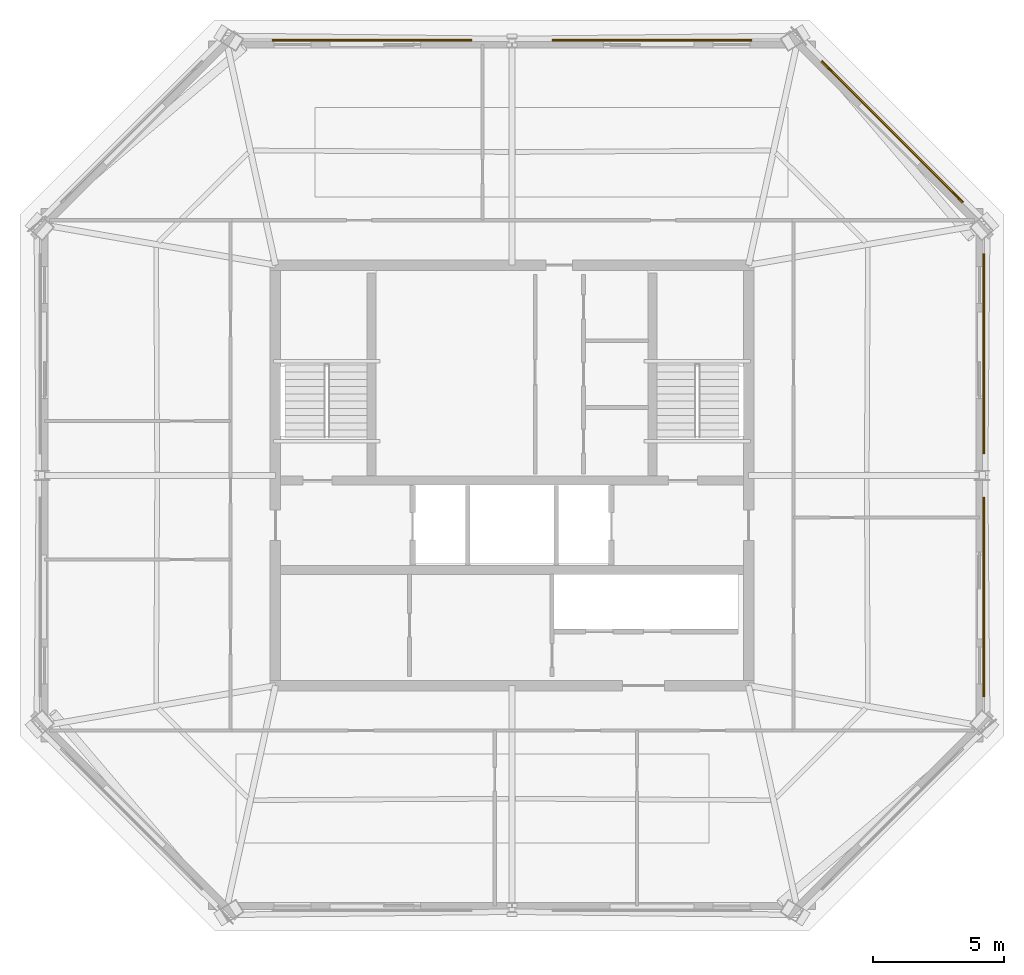
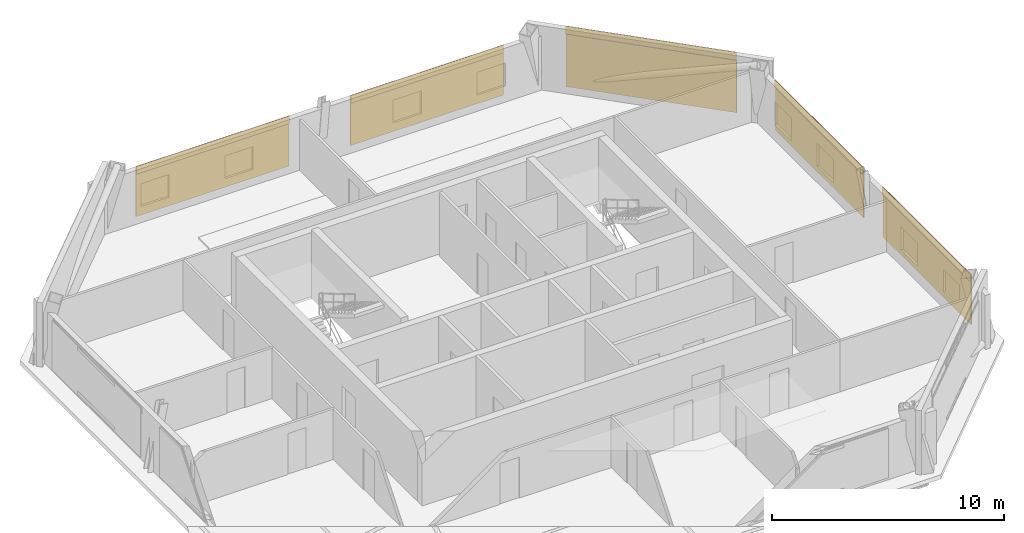
# One storey, part 6 of 6: 5 coverings, 5 shading devices.
"""IFC4 building model written with IfcOpenShell, lengths in metres."""

from ifc_helpers import new_model, si_unit, direction, frame, origin, origin_2d, place, context, subcontext, project, spatial, rectangle, extrude, material, layer, layer_set, type_object, element, save


model = new_model("IFC4")

# Units and contexts
model_context = context("Model", 3, precision=1e-05, world=origin(), true_north=direction((0.0, 1.0)))
body_context = subcontext(model_context, "Body", "Model", "MODEL_VIEW")
ifc_project = project(units=[si_unit("LENGTHUNIT", "METRE"), si_unit("AREAUNIT", "SQUARE_METRE"), si_unit("VOLUMEUNIT", "CUBIC_METRE"), si_unit("PLANEANGLEUNIT", "RADIAN"), si_unit("MASSUNIT", "GRAM", prefix="KILO")], contexts=[model_context])

# Site, building, storey
site_placement = place(None, origin())
site = spatial("IfcSite", under=ifc_project, at=site_placement, CompositionType="ELEMENT")
building_placement = place(site_placement, origin())
building = spatial("IfcBuilding", under=site, at=building_placement, Name="Caelvoria Tower", CompositionType="ELEMENT")
storey_placement = place(building_placement, frame((0.0, 0.0, 268.199951171875)))
storey = spatial("IfcBuildingStorey", under=building, at=storey_placement, Name="L71", CompositionType="ELEMENT", Elevation=268.199951171875)

# Coverings
ifc_material_1 = material(Name="Perforated Architectural Bronze Cladding Screen", Category="bronze")
ifc_layer_1 = layer(ifc_material_1, 0.0400390625, Name="Perforated Architectural Bronze Cladding Screen")
ifc_layer_set_1 = layer_set([ifc_layer_1], Name="Perforated Bronze Louvre Cladding Band 40 - Perforated Architectural Bronze Cladding Screen")
covering_type = type_object("IfcCoveringType", Name="Perforated Bronze Louvre Cladding Band 40", PredefinedType="CLADDING", material=ifc_layer_set_1)
for number, where, z_axis, x_axis, name in (
    (1, (63.92724609375, 27.37548828125, 2.412109375), (0.0, 0.0, 1.0), (0.0, 1.0, 0.0), "Perforated Bronze Screen Band L71-E2-00"),
    (2, (63.92724609375, 36.62451171875, 2.412109375), (0.0, 0.0, 1.0), (0.0, 1.0, 0.0), "Perforated Bronze Screen Band L71-E2-01"),
    (3, (60.451171875, 45.0556640625, 2.955078125), (0.0, 0.0, 1.0), (-0.707106781187, 0.707106781187, 0.0), "Perforated Bronze Screen Band L71-E3-00"),
    (4, (51.322265625, 48.53173828125, 2.412109375), (0.0, 0.0, 1.0), (-1.0, 0.0, 0.0), "Perforated Bronze Screen Band L71-E4-00"),
    (5, (40.677734375, 48.53173828125, 2.412109375), (0.0, 0.0, 1.0), (-1.0, 0.0, 0.0), "Perforated Bronze Screen Band L71-E4-01"),
):
    element("IfcCovering", number, at=place(storey_placement, frame(where, z_axis=z_axis, x_axis=x_axis)), inside=storey, type_object=covering_type, Name=name, PredefinedType="CLADDING", context=body_context, shape_type="SweptSolid", body=[
        extrude(rectangle(XDim=7.60009765625, YDim=0.0400390625, at=origin_2d()), origin(), (0.0, 0.0, 1.0), 0.39990234375),
    ])

# Shading devices
ifc_material_2 = material(Name="Perforated Architectural Bronze Alloy Panel", Category="bronze")
ifc_layer_2 = layer(ifc_material_2, 0.044921875, Name="Perforated Architectural Bronze Alloy Panel")
ifc_layer_set_2 = layer_set([ifc_layer_2], Name="Perforated Bronze Solar Screen Panel SCREEN - Perforated Architectural Bronze Alloy Panel")
shading_device_type = type_object("IfcShadingDeviceType", Name="Perforated Bronze Solar Screen Panel SCREEN", PredefinedType="USERDEFINED", material=ifc_layer_set_2)
for number, where, z_axis, x_axis, name in (
    (6, (63.97021484375, 27.37548828125, 0.16015625), (0.0, 0.0, 1.0), (0.0, 1.0, 0.0), "Perforated Bronze Solar Screen L71-E2-00"),
    (7, (63.97021484375, 36.62451171875, 0.16015625), (0.0, 0.0, 1.0), (0.0, 1.0, 0.0), "Perforated Bronze Solar Screen L71-E2-01"),
):
    element("IfcShadingDevice", number, at=place(storey_placement, frame(where, z_axis=z_axis, x_axis=x_axis)), inside=storey, type_object=shading_device_type, Name=name, ObjectType="SCREEN", PredefinedType="USERDEFINED", context=body_context, shape_type="SweptSolid", body=[
        extrude(rectangle(XDim=7.60009765625, YDim=0.044921875, at=origin_2d()), origin(), (0.0, 0.0, 1.0), 2.592041015625),
    ])
shading_device_placement = place(storey_placement, frame((60.4814453125, 45.086181640625, 0.16015625), z_axis=(0.0, 0.0, 1.0), x_axis=(-0.707106781187, 0.707106781187, 0.0)))
element("IfcShadingDevice", 8, at=shading_device_placement, inside=storey, type_object=shading_device_type, Name="Perforated Bronze Solar Screen L71-E3-00", ObjectType="SCREEN", PredefinedType="USERDEFINED", context=body_context, shape_type="SweptSolid", body=[
    extrude(rectangle(XDim=7.60009765625, YDim=0.044921875, at=origin_2d()), origin(), (0.0, 0.0, 1.0), 2.75),
])
for number, where, z_axis, x_axis, name in (
    (9, (51.322265625, 48.57470703125, 0.16015625), (0.0, 0.0, 1.0), (-1.0, 0.0, 0.0), "Perforated Bronze Solar Screen L71-E4-00"),
    (10, (40.677734375, 48.57470703125, 0.16015625), (0.0, 0.0, 1.0), (-1.0, 0.0, 0.0), "Perforated Bronze Solar Screen L71-E4-01"),
):
    element("IfcShadingDevice", number, at=place(storey_placement, frame(where, z_axis=z_axis, x_axis=x_axis)), inside=storey, type_object=shading_device_type, Name=name, ObjectType="SCREEN", PredefinedType="USERDEFINED", context=body_context, shape_type="SweptSolid", body=[
        extrude(rectangle(XDim=7.60009765625, YDim=0.044921875, at=origin_2d()), origin(), (0.0, 0.0, 1.0), 2.592041015625),
    ])

save(model, "model.ifc")
